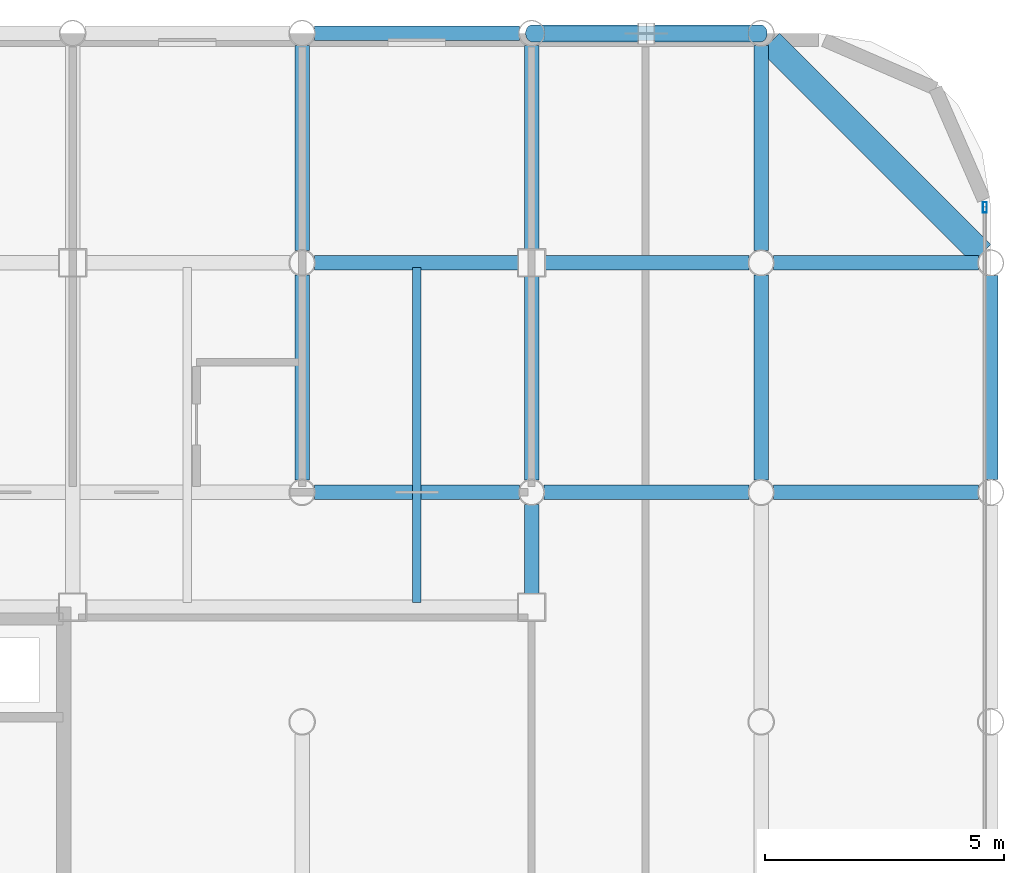
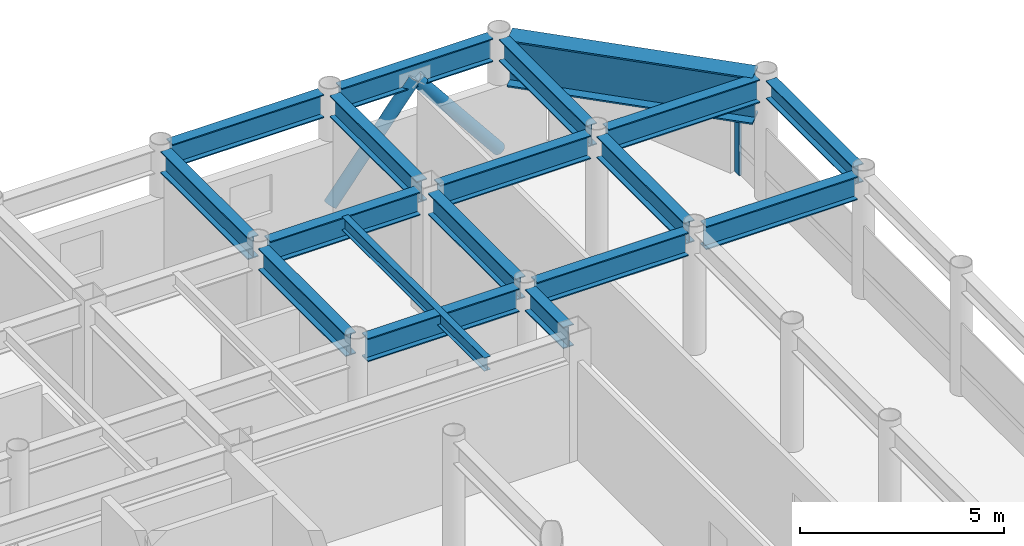
# One storey, part 15 of 22: 18 beams, 3 members, 1 element without a shape of its own.
"""IFC4 building model written with IfcOpenShell, lengths in metres."""

from ifc_helpers import new_model, si_unit, direction, frame, origin, origin_2d, place, context, subcontext, project, spatial, hollow_rectangle, hollow_circle, i_section, extrude, material, layer, layer_set, material_profile, profile_set, type_object, element, aggregate, save


model = new_model("IFC4")

# Units and contexts
model_context = context("Model", 3, precision=1e-05, world=origin(), true_north=direction((0.0, 1.0)))
body_context = subcontext(model_context, "Body", "Model", "MODEL_VIEW")
ifc_project = project(units=[si_unit("LENGTHUNIT", "METRE"), si_unit("AREAUNIT", "SQUARE_METRE"), si_unit("VOLUMEUNIT", "CUBIC_METRE"), si_unit("PLANEANGLEUNIT", "RADIAN"), si_unit("MASSUNIT", "GRAM", prefix="KILO")], contexts=[model_context])

# Site, building, storey
site_placement = place(None, origin())
site = spatial("IfcSite", under=ifc_project, at=site_placement, CompositionType="ELEMENT")
building_placement = place(site_placement, origin())
building = spatial("IfcBuilding", under=site, at=building_placement, Name="Kallvorn Hotel Tower", CompositionType="ELEMENT")
storey_placement = place(building_placement, frame((0.0, 0.0, 206.89990234375)))
storey = spatial("IfcBuildingStorey", under=building, at=storey_placement, Name="L51", CompositionType="ELEMENT", Elevation=206.89990234375)

# Beams
ifc_material_1 = material(Name="Structural steel S355JR", Category="steel")
ifc_material_profile_1 = material_profile(ifc_material_1, i_section(OverallWidth=0.300048828125, OverallDepth=0.550048828125, WebThickness=0.014892578125, FlangeThickness=0.029052734375, at=origin_2d()), Name="HE 550 B")
ifc_profile_set_1 = profile_set([ifc_material_profile_1], Name="Structural steel S355JR")
beam_type_1 = type_object("IfcBeamType", Name="BM_HE550B", PredefinedType="SPANDREL", material=ifc_profile_set_1)
beam_1_placement = place(storey_placement, frame((33.60009765625, 9.869384765625, 3.39501953125), z_axis=(0.0, 1.0, 0.0), x_axis=(-1.0, 0.0, 0.0)))
element("IfcBeam", 1, at=beam_1_placement, inside=storey, type_object=beam_type_1, Name="L52 Perimeter Spandrel 188", PredefinedType="SPANDREL", context=body_context, shape_type="SweptSolid", body=[
    extrude(i_section(OverallWidth=0.300048828125, OverallDepth=0.550048828125, WebThickness=0.014892578125, FlangeThickness=0.029052734375, at=origin_2d()), origin(), (0.0, 0.0, 1.0), 4.26123046875),
])
ifc_material_2 = material(Name="Structural steel S355JR", Category="steel")
ifc_material_profile_2 = material_profile(ifc_material_2, i_section(OverallWidth=0.300048828125, OverallDepth=0.64990234375, WebThickness=0.01611328125, FlangeThickness=0.031005859375, at=origin_2d()), Name="HE 650 B")
ifc_profile_set_2 = profile_set([ifc_material_profile_2], Name="Structural steel S355JR")
beam_type_2 = type_object("IfcBeamType", Name="BM_HE650B", PredefinedType="BEAM", material=ifc_profile_set_2)
for number, where, z_axis, x_axis, name in (
    (2, (19.199951171875, 9.8544921875, 3.34521484375), (0.0, 1.0, 0.0), (-1.0, 0.0, 0.0), "L52 Primary Y-Girder 133"),
    (3, (19.199951171875, 14.654541015625, 3.34521484375), (0.0, 1.0, 0.0), (-1.0, 0.0, 0.0), "L52 Primary Y-Girder 134"),
):
    element("IfcBeam", number, at=place(storey_placement, frame(where, z_axis=z_axis, x_axis=x_axis)), inside=storey, type_object=beam_type_2, Name=name, PredefinedType="BEAM", context=body_context, shape_type="SweptSolid", body=[
        extrude(i_section(OverallWidth=0.300048828125, OverallDepth=0.64990234375, WebThickness=0.01611328125, FlangeThickness=0.031005859375, at=origin_2d()), origin(), (0.0, 0.0, 1.0), 4.291015625),
    ])
beam_2_placement = place(storey_placement, frame((24.0, 7.47509765625, 3.34521484375), z_axis=(0.0, 1.0, 0.0), x_axis=(-1.0, 0.0, 0.0)))
element("IfcBeam", 4, at=beam_2_placement, inside=storey, type_object=beam_type_2, Name="L52 Primary Y-Girder 139", PredefinedType="BEAM", context=body_context, shape_type="SweptSolid", body=[
    extrude(i_section(OverallWidth=0.300048828125, OverallDepth=0.64990234375, WebThickness=0.01611328125, FlangeThickness=0.031005859375, at=origin_2d()), origin(), (0.0, 0.0, 1.0), 1.870361328125),
])
for number, where, z_axis, x_axis, name in (
    (5, (24.0, 9.8544921875, 3.34521484375), (0.0, 1.0, 0.0), (-1.0, 0.0, 0.0), "L52 Primary Y-Girder 140"),
    (6, (24.0, 14.675048828125, 3.34521484375), (0.0, 1.0, 0.0), (-1.0, 0.0, 0.0), "L52 Primary Y-Girder 141"),
):
    element("IfcBeam", number, at=place(storey_placement, frame(where, z_axis=z_axis, x_axis=x_axis)), inside=storey, type_object=beam_type_2, Name=name, PredefinedType="BEAM", context=body_context, shape_type="SweptSolid", body=[
        extrude(i_section(OverallWidth=0.300048828125, OverallDepth=0.64990234375, WebThickness=0.01611328125, FlangeThickness=0.031005859375, at=origin_2d()), origin(), (0.0, 0.0, 1.0), 4.2705078125),
    ])
for number, where, z_axis, x_axis, name in (
    (7, (28.800048828125, 9.8544921875, 3.34521484375), (0.0, 1.0, 0.0), (-1.0, 0.0, 0.0), "L52 Primary Y-Girder 149"),
    (8, (28.800048828125, 14.654541015625, 3.34521484375), (0.0, 1.0, 0.0), (-1.0, 0.0, 0.0), "L52 Primary Y-Girder 150"),
):
    element("IfcBeam", number, at=place(storey_placement, frame(where, z_axis=z_axis, x_axis=x_axis)), inside=storey, type_object=beam_type_2, Name=name, PredefinedType="BEAM", context=body_context, shape_type="SweptSolid", body=[
        extrude(i_section(OverallWidth=0.300048828125, OverallDepth=0.64990234375, WebThickness=0.01611328125, FlangeThickness=0.031005859375, at=origin_2d()), origin(), (0.0, 0.0, 1.0), 4.291015625),
    ])
ifc_material_3 = material(Name="Structural steel S355JR", Category="steel")
ifc_material_profile_3 = material_profile(ifc_material_3, i_section(OverallWidth=0.300048828125, OverallDepth=0.699951171875, WebThickness=0.01708984375, FlangeThickness=0.031982421875, at=origin_2d()), Name="HE 700 B")
ifc_profile_set_3 = profile_set([ifc_material_profile_3], Name="Structural steel S355JR")
beam_type_3 = type_object("IfcBeamType", Name="BM_HE700B", PredefinedType="BEAM", material=ifc_profile_set_3)
for number, where, z_axis, x_axis, name in (
    (9, (19.45458984375, 9.60009765625, 3.320068359375), (1.0, 0.0, 0.0), (0.0, 1.0, 0.0), "L52 Primary X-Girder 48"),
    (10, (24.25439453125, 9.60009765625, 3.320068359375), (1.0, 0.0, 0.0), (0.0, 1.0, 0.0), "L52 Primary X-Girder 49"),
    (11, (29.054443359375, 9.60009765625, 3.320068359375), (1.0, 0.0, 0.0), (0.0, 1.0, 0.0), "L52 Primary X-Girder 50"),
):
    element("IfcBeam", number, at=place(storey_placement, frame(where, z_axis=z_axis, x_axis=x_axis)), inside=storey, type_object=beam_type_3, Name=name, PredefinedType="BEAM", context=body_context, shape_type="SweptSolid", body=[
        extrude(i_section(OverallWidth=0.300048828125, OverallDepth=0.699951171875, WebThickness=0.01708984375, FlangeThickness=0.031982421875, at=origin_2d()), origin(), (0.0, 0.0, 1.0), 4.291015625),
    ])
for number, where, z_axis, x_axis, name in (
    (12, (19.45458984375, 14.39990234375, 3.320068359375), (1.0, 0.0, 0.0), (0.0, 1.0, 0.0), "L52 Primary X-Girder 58"),
    (13, (24.27490234375, 14.39990234375, 3.320068359375), (1.0, 0.0, 0.0), (0.0, 1.0, 0.0), "L52 Primary X-Girder 59"),
):
    element("IfcBeam", number, at=place(storey_placement, frame(where, z_axis=z_axis, x_axis=x_axis)), inside=storey, type_object=beam_type_3, Name=name, PredefinedType="BEAM", context=body_context, shape_type="SweptSolid", body=[
        extrude(i_section(OverallWidth=0.300048828125, OverallDepth=0.699951171875, WebThickness=0.01708984375, FlangeThickness=0.031982421875, at=origin_2d()), origin(), (0.0, 0.0, 1.0), 4.2705078125),
    ])
for number, where, z_axis, x_axis, name in (
    (14, (29.054443359375, 14.39990234375, 3.320068359375), (1.0, 0.0, 0.0), (0.0, 1.0, 0.0), "L52 Primary X-Girder 60"),
    (15, (19.45458984375, 19.199951171875, 3.320068359375), (1.0, 0.0, 0.0), (0.0, 1.0, 0.0), "L52 Primary X-Girder 71"),
    (16, (24.25439453125, 19.199951171875, 3.320068359375), (1.0, 0.0, 0.0), (0.0, 1.0, 0.0), "L52 Primary X-Girder 72"),
):
    element("IfcBeam", number, at=place(storey_placement, frame(where, z_axis=z_axis, x_axis=x_axis)), inside=storey, type_object=beam_type_3, Name=name, PredefinedType="BEAM", context=body_context, shape_type="SweptSolid", body=[
        extrude(i_section(OverallWidth=0.300048828125, OverallDepth=0.699951171875, WebThickness=0.01708984375, FlangeThickness=0.031982421875, at=origin_2d()), origin(), (0.0, 0.0, 1.0), 4.291015625),
    ])
ifc_material_4 = material(Name="Structural steel S355JR", Category="steel")
ifc_material_profile_4 = material_profile(ifc_material_4, i_section(OverallWidth=0.179931640625, OverallDepth=0.39990234375, WebThickness=0.008544921875, FlangeThickness=0.013427734375, at=origin_2d()), Name="IPE 400")
ifc_profile_set_4 = profile_set([ifc_material_profile_4], Name="Structural steel S355JR")
beam_type_4 = type_object("IfcBeamType", Name="BM_IPE400", PredefinedType="JOIST", material=ifc_profile_set_4)
beam_3_placement = place(storey_placement, frame((21.60009765625, 7.300048828125, 3.47021484375), z_axis=(0.0, 1.0, 0.0), x_axis=(-1.0, 0.0, 0.0)))
element("IfcBeam", 17, at=beam_3_placement, inside=storey, type_object=beam_type_4, Name="L52 Secondary Composite Joist 209", PredefinedType="JOIST", context=body_context, shape_type="SweptSolid", body=[
    extrude(i_section(OverallWidth=0.179931640625, OverallDepth=0.39990234375, WebThickness=0.008544921875, FlangeThickness=0.013427734375, at=origin_2d()), origin(), (0.0, 0.0, 1.0), 7.0),
])
ifc_material_5 = material(Name="Structural steel S355JR", Category="steel")
ifc_material_profile_5 = material_profile(ifc_material_5, i_section(OverallWidth=0.550048828125, OverallDepth=1.39990234375, WebThickness=0.02490234375, FlangeThickness=0.044921875, at=origin_2d()), Name="PG 1400x550x25x45")
ifc_profile_set_5 = profile_set([ifc_material_profile_5], Name="Structural steel S355JR")
beam_type_5 = type_object("IfcBeamType", Name="BM_PG_1400", PredefinedType="BEAM", material=ifc_profile_set_5)
beam_4_placement = place(storey_placement, frame((33.409423828125, 14.590576171875, 2.97021484375), z_axis=(-0.707106781187, 0.707106781187, 0.0), x_axis=(-0.707106781187, -0.707106781187, 0.0)))
element("IfcBeam", 18, at=beam_4_placement, inside=storey, type_object=beam_type_5, Name="L52 Rounded Corner Tie Beam 191", PredefinedType="BEAM", context=body_context, shape_type="SweptSolid", body=[
    extrude(i_section(OverallWidth=0.550048828125, OverallDepth=1.39990234375, WebThickness=0.02490234375, FlangeThickness=0.044921875, at=origin_2d()), origin(), (0.0, 0.0, 1.0), 6.249267578125),
])

# Curtain wall, member
ifc_material_6 = material(Name="Thermally broken black-anodised aluminium AA 6063-T6", Category="aluminium")
ifc_layer = layer(ifc_material_6, 0.22998046875)
ifc_layer_set = layer_set([ifc_layer], Name="CW_SYS_5_HOTEL_HIGH")
curtain_wall_type = type_object("IfcCurtainWallType", Name="CW_SYS_5_HOTEL_HIGH", PredefinedType="USERDEFINED", material=ifc_layer_set)
curtain_wall_placement = place(storey_placement, origin())
curtain_wall = element("IfcCurtainWall", 19, at=curtain_wall_placement, inside=storey, type_object=curtain_wall_type, Name="L51 Dark-Glass Curtain Wall CW-L51-EN", ObjectType="UNITISED CURTAIN WALL", PredefinedType="USERDEFINED")
ifc_material_7 = material(Name="Thermally broken black-anodised aluminium AA 6063-T6", Category="aluminium")
ifc_material_profile_6 = material_profile(ifc_material_7, hollow_rectangle(XDim=0.080078125, YDim=0.219970703125, WallThickness=0.0048828125, at=origin_2d()), Name="MUL 220x80")
ifc_profile_set_6 = profile_set([ifc_material_profile_6], Name="Thermally broken black-anodised aluminium AA 6063-T6")
member_type_1 = type_object("IfcMemberType", Name="CW_MULLION_220x80", PredefinedType="MULLION", material=ifc_profile_set_6)
member_placement = place(storey_placement, frame((33.47998046875, 15.56005859375, 0.02001953125), z_axis=(0.0, 0.0, 1.0), x_axis=(1.0, 0.0, 0.0)))
member = element("IfcMember", 20, at=member_placement, type_object=member_type_1, Name="CW-L51-EN Mullion 01", PredefinedType="MULLION", context=body_context, shape_type="SweptSolid", body=[
    extrude(hollow_rectangle(XDim=0.080078125, YDim=0.219970703125, WallThickness=0.0048828125, at=origin_2d()), origin(), (0.0, 0.0, 1.0), 2.22998046875),
])
aggregate(curtain_wall, [member])

# Members
ifc_material_8 = material(Name="Structural steel S355J2H", Category="steel")
ifc_material_profile_7 = material_profile(ifc_material_8, hollow_circle(Radius=0.177734375, WallThickness=0.01416015625, at=origin_2d()), Name="CHS 355.6x14.2")
ifc_profile_set_7 = profile_set([ifc_material_profile_7], Name="Structural steel S355J2H")
member_type_2 = type_object("IfcMemberType", Name="MBR_EXO_CHS355", PredefinedType="BRACE", material=ifc_profile_set_7)
for number, where, z_axis, x_axis, name in (
    (21, (24.012451171875, 19.199951171875, 0.19580078125), (0.627270878626, 0.0, 0.778801158722), (0.0, 1.0, 0.0), "L51 Exoskeleton K-Brace N2A"),
    (22, (28.78759765625, 19.199951171875, 0.19580078125), (-0.627270878626, 0.0, 0.778801158722), (0.0, -1.0, 0.0), "L51 Exoskeleton K-Brace N2B"),
):
    element("IfcMember", number, at=place(storey_placement, frame(where, z_axis=z_axis, x_axis=x_axis)), inside=storey, type_object=member_type_2, Name=name, PredefinedType="BRACE", context=body_context, shape_type="SweptSolid", body=[
        extrude(hollow_circle(Radius=0.177734375, WallThickness=0.01416015625, at=origin_2d()), origin(), (0.0, 0.0, 1.0), 3.7861328125),
    ])

save(model, "model.ifc")
